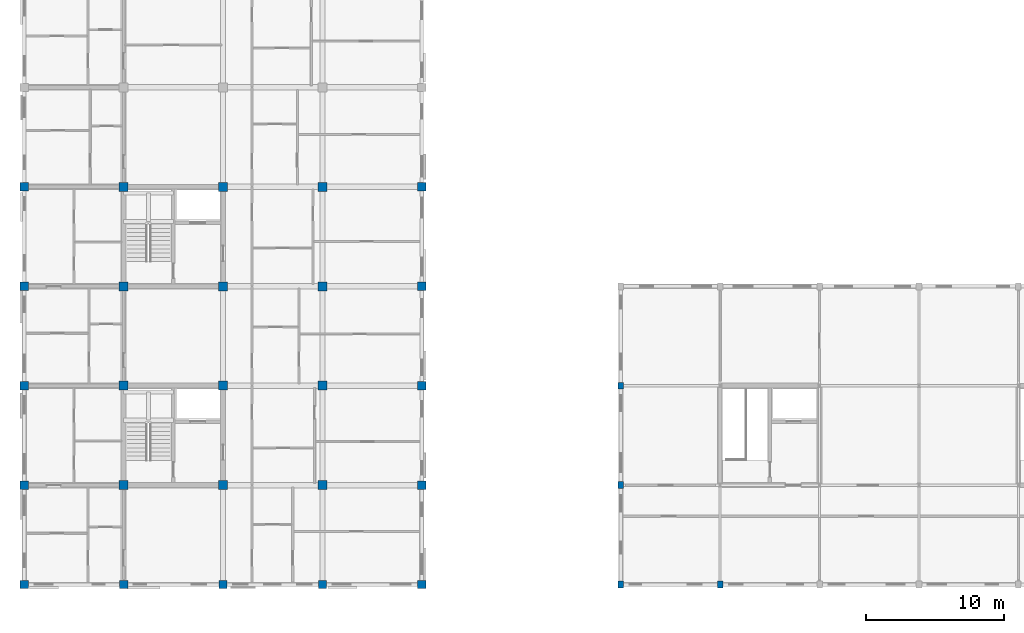
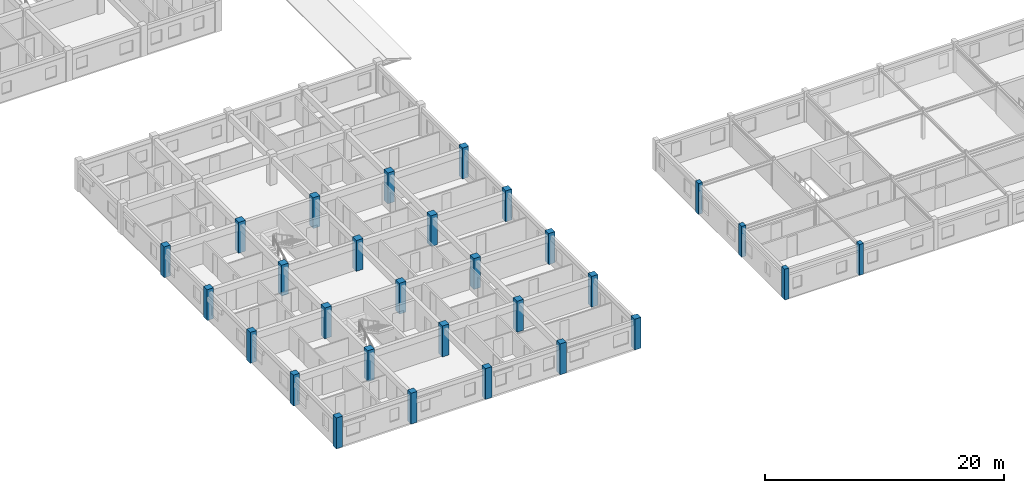
# One storey, part 1 of 50: 29 columns.
"""IFC4 building model written with IfcOpenShell, lengths in metres."""

from ifc_helpers import new_model, si_unit, direction, frame, origin, origin_2d, place, context, subcontext, project, spatial, rectangle, extrude, material, material_profile, profile_set, type_object, element, save


model = new_model("IFC4")

# Units and contexts
model_context = context("Model", 3, precision=1e-05, world=origin(), true_north=direction((0.0, 1.0)))
body_context = subcontext(model_context, "Body", "Model", "MODEL_VIEW")
ifc_project = project(units=[si_unit("LENGTHUNIT", "METRE"), si_unit("AREAUNIT", "SQUARE_METRE"), si_unit("VOLUMEUNIT", "CUBIC_METRE"), si_unit("PLANEANGLEUNIT", "RADIAN"), si_unit("MASSUNIT", "GRAM", prefix="KILO"), si_unit("THERMODYNAMICTEMPERATUREUNIT", "KELVIN"), si_unit("POWERUNIT", "WATT")], contexts=[model_context])

# Site, building, storey
site_placement = place(None, origin())
site = spatial("IfcSite", under=ifc_project, at=site_placement, CompositionType="ELEMENT")
building_placement = place(site_placement, origin())
building = spatial("IfcBuilding", under=site, at=building_placement, Name="Tavuni Mirador Residences", CompositionType="ELEMENT")
storey_placement = place(building_placement, frame((0.0, 0.0, 4.5)))
storey = spatial("IfcBuildingStorey", under=building, at=storey_placement, Name="L01", CompositionType="ELEMENT", Elevation=4.5)

# Columns
ifc_material_1 = material(Name="Precast concrete C40/50", Category="concrete")
ifc_material_profile_1 = material_profile(ifc_material_1, rectangle(XDim=0.39990234375, YDim=0.5, at=origin_2d()), Name="PC 400x500", Category="concrete")
ifc_profile_set_1 = profile_set([ifc_material_profile_1], Name="Precast concrete C40/50")
column_type_1 = type_object("IfcColumnType", Name="CT-PC400X500", PredefinedType="COLUMN", material=ifc_profile_set_1)
for number, where, z_axis, x_axis, name in (
    (1, (46.800048828125, 7.199951171875, 0.0), (0.0, 0.0, 1.0), (1.0, 0.0, 0.0), "COL-PAV-SHOP-L01-00-00"),
    (2, (46.800048828125, 14.39990234375, 0.0), (0.0, 0.0, 1.0), (1.0, 0.0, 0.0), "COL-PAV-SHOP-L01-00-01"),
    (3, (46.800048828125, 21.60009765625, 0.0), (0.0, 0.0, 1.0), (1.0, 0.0, 0.0), "COL-PAV-SHOP-L01-00-02"),
    (4, (54.0, 7.199951171875, 0.0), (0.0, 0.0, 1.0), (1.0, 0.0, 0.0), "COL-PAV-SHOP-L01-01-00"),
):
    element("IfcColumn", number, at=place(storey_placement, frame(where, z_axis=z_axis, x_axis=x_axis)), inside=storey, type_object=column_type_1, Name=name, PredefinedType="COLUMN", context=body_context, shape_type="SweptSolid", body=[
        extrude(rectangle(XDim=0.39990234375, YDim=0.5, at=origin_2d()), origin(), (0.0, 0.0, 1.0), 3.14990234375),
    ])
ifc_material_profile_2 = material_profile(ifc_material_1, rectangle(XDim=0.60009765625, YDim=0.60009765625, at=origin_2d()), Name="RC 600x600", Category="concrete")
ifc_profile_set_2 = profile_set([ifc_material_profile_2], Name="Precast concrete C40/50")
column_type_2 = type_object("IfcColumnType", Name="CT-RC600", PredefinedType="COLUMN", material=ifc_profile_set_2)
for number, where, z_axis, x_axis, name in (
    (5, (3.60009765625, 7.199951171875, 0.0), (0.0, 0.0, 1.0), (1.0, 0.0, 0.0), "COL-BLK-A-L01-00-00"),
    (6, (3.60009765625, 14.39990234375, 0.0), (0.0, 0.0, 1.0), (1.0, 0.0, 0.0), "COL-BLK-A-L01-00-01"),
    (7, (3.60009765625, 21.60009765625, 0.0), (0.0, 0.0, 1.0), (1.0, 0.0, 0.0), "COL-BLK-A-L01-00-02"),
    (8, (3.60009765625, 28.800048828125, 0.0), (0.0, 0.0, 1.0), (1.0, 0.0, 0.0), "COL-BLK-A-L01-00-03"),
    (9, (3.60009765625, 36.0, 0.0), (0.0, 0.0, 1.0), (1.0, 0.0, 0.0), "COL-BLK-A-L01-00-04"),
    (10, (10.800048828125, 7.199951171875, 0.0), (0.0, 0.0, 1.0), (1.0, 0.0, 0.0), "COL-BLK-A-L01-01-00"),
    (11, (18.0, 7.199951171875, 0.0), (0.0, 0.0, 1.0), (1.0, 0.0, 0.0), "COL-BLK-A-L01-02-00"),
    (12, (25.199951171875, 7.199951171875, 0.0), (0.0, 0.0, 1.0), (1.0, 0.0, 0.0), "COL-BLK-A-L01-03-00"),
    (13, (32.39990234375, 7.199951171875, 0.0), (0.0, 0.0, 1.0), (1.0, 0.0, 0.0), "COL-BLK-A-L01-04-00"),
    (14, (32.39990234375, 14.39990234375, 0.0), (0.0, 0.0, 1.0), (1.0, 0.0, 0.0), "COL-BLK-A-L01-04-01"),
    (15, (32.39990234375, 21.60009765625, 0.0), (0.0, 0.0, 1.0), (1.0, 0.0, 0.0), "COL-BLK-A-L01-04-02"),
    (16, (32.39990234375, 28.800048828125, 0.0), (0.0, 0.0, 1.0), (1.0, 0.0, 0.0), "COL-BLK-A-L01-04-03"),
    (17, (32.39990234375, 36.0, 0.0), (0.0, 0.0, 1.0), (1.0, 0.0, 0.0), "COL-BLK-A-L01-04-04"),
):
    element("IfcColumn", number, at=place(storey_placement, frame(where, z_axis=z_axis, x_axis=x_axis)), inside=storey, type_object=column_type_2, Name=name, PredefinedType="COLUMN", context=body_context, shape_type="SweptSolid", body=[
        extrude(rectangle(XDim=0.60009765625, YDim=0.60009765625, at=origin_2d()), origin(), (0.0, 0.0, 1.0), 3.14990234375),
    ])
ifc_material_2 = material(Name="In-situ concrete C35/45", Category="concrete")
ifc_material_profile_3 = material_profile(ifc_material_2, rectangle(XDim=0.64990234375, YDim=0.64990234375, at=origin_2d()), Name="RC 650x650", Category="concrete")
ifc_profile_set_3 = profile_set([ifc_material_profile_3], Name="In-situ concrete C35/45")
column_type_3 = type_object("IfcColumnType", Name="CT-RC650", PredefinedType="COLUMN", material=ifc_profile_set_3)
for number, where, z_axis, x_axis, name in (
    (18, (10.800048828125, 14.39990234375, 0.0), (0.0, 0.0, 1.0), (1.0, 0.0, 0.0), "COL-BLK-A-L01-01-01"),
    (19, (10.800048828125, 21.60009765625, 0.0), (0.0, 0.0, 1.0), (1.0, 0.0, 0.0), "COL-BLK-A-L01-01-02"),
    (20, (10.800048828125, 28.800048828125, 0.0), (0.0, 0.0, 1.0), (1.0, 0.0, 0.0), "COL-BLK-A-L01-01-03"),
    (21, (10.800048828125, 36.0, 0.0), (0.0, 0.0, 1.0), (1.0, 0.0, 0.0), "COL-BLK-A-L01-01-04"),
    (22, (18.0, 14.39990234375, 0.0), (0.0, 0.0, 1.0), (1.0, 0.0, 0.0), "COL-BLK-A-L01-02-01"),
    (23, (18.0, 21.60009765625, 0.0), (0.0, 0.0, 1.0), (1.0, 0.0, 0.0), "COL-BLK-A-L01-02-02"),
    (24, (18.0, 28.800048828125, 0.0), (0.0, 0.0, 1.0), (1.0, 0.0, 0.0), "COL-BLK-A-L01-02-03"),
    (25, (18.0, 36.0, 0.0), (0.0, 0.0, 1.0), (1.0, 0.0, 0.0), "COL-BLK-A-L01-02-04"),
    (26, (25.199951171875, 14.39990234375, 0.0), (0.0, 0.0, 1.0), (1.0, 0.0, 0.0), "COL-BLK-A-L01-03-01"),
    (27, (25.199951171875, 21.60009765625, 0.0), (0.0, 0.0, 1.0), (1.0, 0.0, 0.0), "COL-BLK-A-L01-03-02"),
    (28, (25.199951171875, 28.800048828125, 0.0), (0.0, 0.0, 1.0), (1.0, 0.0, 0.0), "COL-BLK-A-L01-03-03"),
    (29, (25.199951171875, 36.0, 0.0), (0.0, 0.0, 1.0), (1.0, 0.0, 0.0), "COL-BLK-A-L01-03-04"),
):
    element("IfcColumn", number, at=place(storey_placement, frame(where, z_axis=z_axis, x_axis=x_axis)), inside=storey, type_object=column_type_3, Name=name, PredefinedType="COLUMN", context=body_context, shape_type="SweptSolid", body=[
        extrude(rectangle(XDim=0.64990234375, YDim=0.64990234375, at=origin_2d()), origin(), (0.0, 0.0, 1.0), 3.14990234375),
    ])

save(model, "model.ifc")
